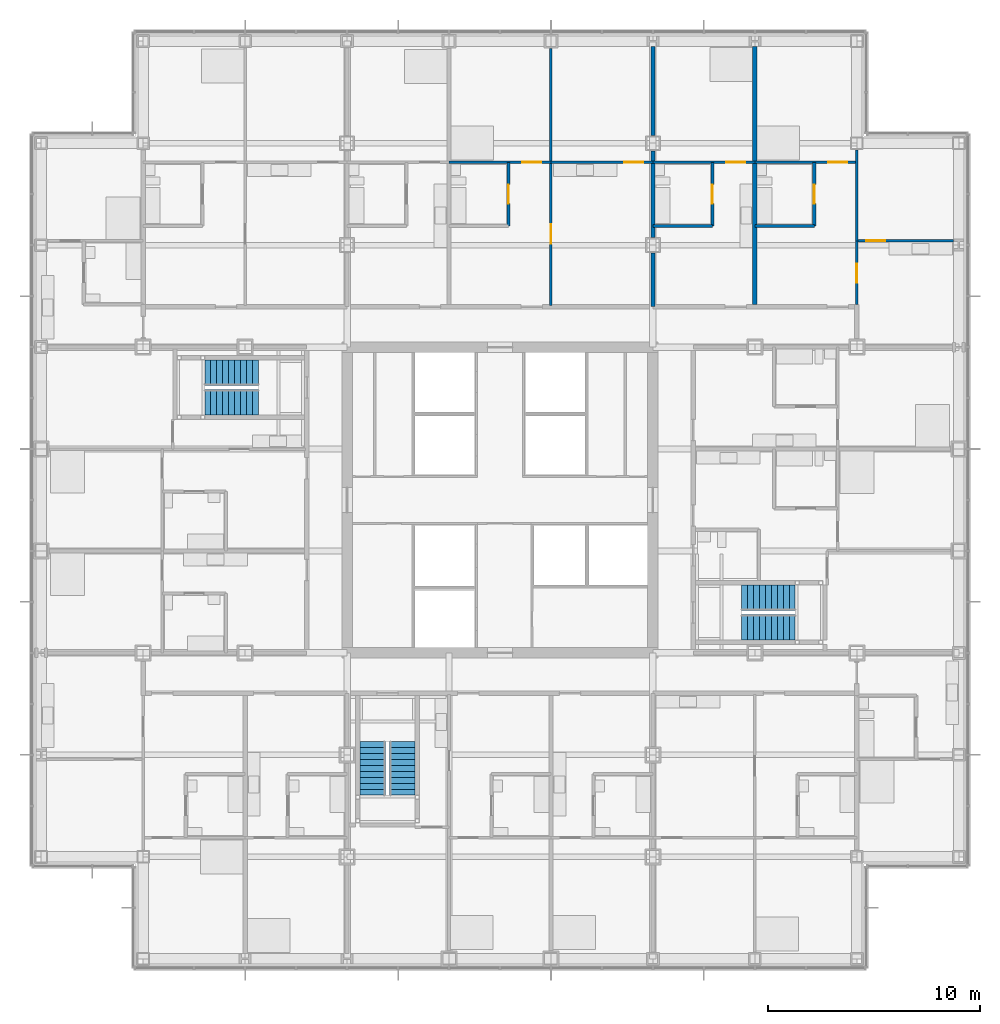
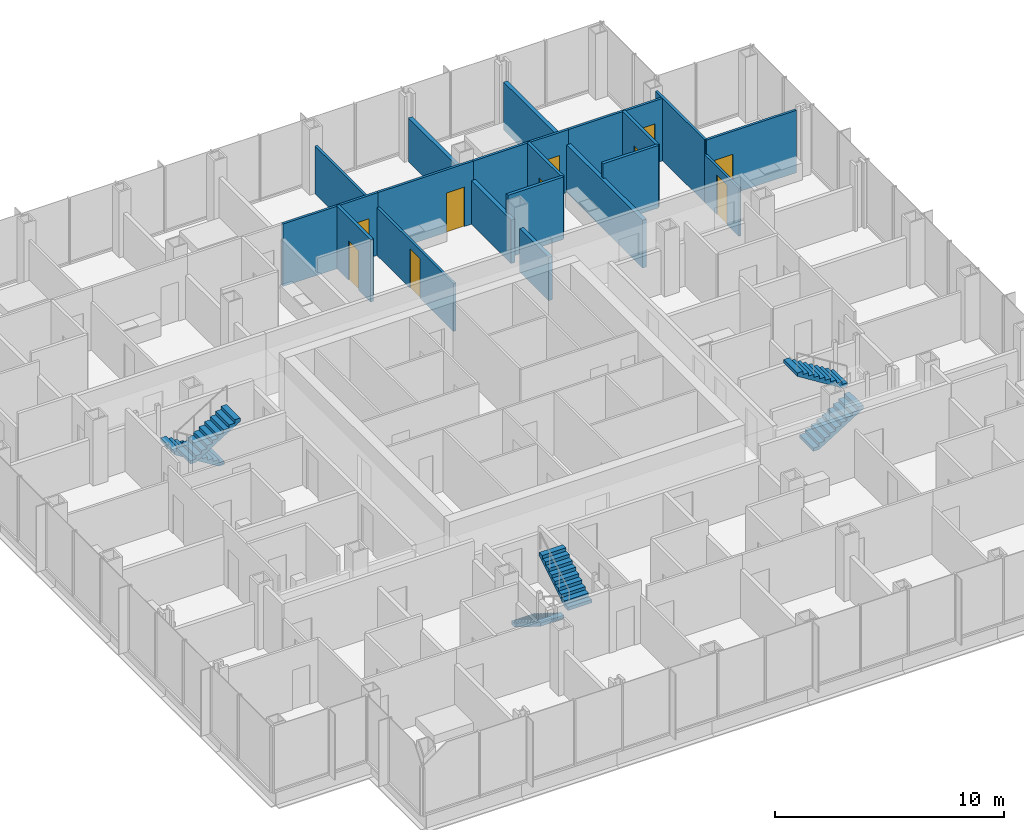
# One storey, part 18 of 21: 18 walls, 10 doors, 6 stair flights, 10 openings, 3 elements without a shape of their own.
"""IFC4 building model written with IfcOpenShell, lengths in metres."""

from ifc_helpers import new_model, si_unit, direction, frame, frame_2d, origin, place, context, subcontext, project, spatial, polyline, rectangle, outline, extrude, material, layer, layer_set, type_object, element, fill, aggregate, save


model = new_model("IFC4")

# Units and contexts
model_context = context("Model", 3, precision=1e-05, world=origin(), true_north=direction((0.0, 1.0)))
body_context = subcontext(model_context, "Body", "Model", "MODEL_VIEW")
ifc_project = project(units=[si_unit("LENGTHUNIT", "METRE"), si_unit("AREAUNIT", "SQUARE_METRE"), si_unit("VOLUMEUNIT", "CUBIC_METRE"), si_unit("PLANEANGLEUNIT", "RADIAN"), si_unit("MASSUNIT", "GRAM", prefix="KILO")], contexts=[model_context])

# Site, building, storey
site_placement = place(None, origin())
site = spatial("IfcSite", under=ifc_project, at=site_placement, CompositionType="ELEMENT")
building_placement = place(site_placement, origin())
building = spatial("IfcBuilding", under=site, at=building_placement, Name="Kvirike Care Tower", CompositionType="ELEMENT")
storey_placement = place(building_placement, frame((0.0, 0.0, 34.0)))
storey = spatial("IfcBuildingStorey", under=building, at=storey_placement, Name="L08", CompositionType="ELEMENT", Elevation=34.0)

# Wall, opening, door
ifc_material_1 = material(Name="Moisture-resistant board partition", Category="gypsum")
ifc_layer_1 = layer(ifc_material_1, 0.14990234375)
ifc_layer_set_1 = layer_set([ifc_layer_1], Name="BATHROOM WALL 150")
wall_type_1 = type_object("IfcWallType", Name="BATHROOM WALL 150", PredefinedType="PARTITIONING", material=ifc_layer_set_1)
wall_1_placement = place(storey_placement, frame((22.0, 51.89990234375, 0.0), z_axis=(0.0, 0.0, 1.0), x_axis=(0.0, -1.0, 0.0)))
wall_1 = element("IfcWall", 1, at=wall_1_placement, inside=storey, type_object=wall_type_1, Name="Bathroom Wall 150 L08", PredefinedType="PARTITIONING", context=body_context, shape_type="SweptSolid", body=[
    extrude(rectangle(XDim=3.0, YDim=0.14990234375, at=frame_2d((1.5, 0.0))), origin(), (0.0, 0.0, 1.0), 3.330078125),
])
opening_1_placement = place(wall_1_placement, frame((1.050048828125, 0.0, 0.0)))
opening_1 = element("IfcOpeningElement", 2, at=opening_1_placement, cuts=wall_1, Name="Opening 08-035", PredefinedType="OPENING", context=body_context, shape_type="SweptSolid", body=[
    extrude(rectangle(XDim=0.89990234375, YDim=2.10009765625, at=frame_2d((0.449951171875, 1.050048828125))), frame((0.0, 0.08544921875, 0.0), z_axis=(0.0, -1.0, 0.0), x_axis=(1.0, 0.0, 0.0)), (0.0, 0.0, 1.0), 0.1708984375),
])
ifc_material_2 = material(Name="Timber door set", Category="wood")
door_type_1 = type_object("IfcDoorType", Name="BATHROOM DOOR 900", OperationType="SINGLE_SWING_RIGHT", PredefinedType="DOOR", material=ifc_material_2)
door_1_placement = place(opening_1_placement, frame((0.89990234375, 0.0, 0.0), z_axis=(0.0, 0.0, 1.0), x_axis=(-1.0, 0.0, 0.0)))
door_1 = element("IfcDoor", 3, at=door_1_placement, inside=storey, type_object=door_type_1, Name="Bathroom door", OperationType="SINGLE_SWING_LEFT", OverallHeight=2.10009765625, OverallWidth=0.89990234375, PredefinedType="DOOR", context=body_context, shape_type="SweptSolid", body=[
    extrude(rectangle(XDim=0.89990234375, YDim=2.10009765625, at=frame_2d((0.449951171875, 1.050048828125))), frame((0.0, 0.02197265625, 0.0), z_axis=(0.0, -1.0, 0.0), x_axis=(1.0, 0.0, 0.0)), (0.0, 0.0, 1.0), 0.0439453125),
])
fill(opening_1, door_1)

wall_2_placement = place(storey_placement, frame((36.39990234375, 51.89990234375, 0.0), z_axis=(0.0, 0.0, 1.0), x_axis=(0.0, -1.0, 0.0)))
wall_2 = element("IfcWall", 4, at=wall_2_placement, inside=storey, type_object=wall_type_1, Name="Bathroom Wall 150 L08", PredefinedType="PARTITIONING", context=body_context, shape_type="SweptSolid", body=[
    extrude(rectangle(XDim=3.0, YDim=0.14990234375, at=frame_2d((1.5, 0.0))), origin(), (0.0, 0.0, 1.0), 3.330078125),
])
opening_2_placement = place(wall_2_placement, frame((1.050048828125, 0.0, 0.0)))
opening_2 = element("IfcOpeningElement", 5, at=opening_2_placement, cuts=wall_2, Name="Opening 08-060", PredefinedType="OPENING", context=body_context, shape_type="SweptSolid", body=[
    extrude(rectangle(XDim=0.89990234375, YDim=2.10009765625, at=frame_2d((0.449951171875, 1.050048828125))), frame((0.0, 0.08544921875, 0.0), z_axis=(0.0, -1.0, 0.0), x_axis=(1.0, 0.0, 0.0)), (0.0, 0.0, 1.0), 0.1708984375),
])
door_2_placement = place(opening_2_placement, frame((0.89990234375, 0.0, 0.0), z_axis=(0.0, 0.0, 1.0), x_axis=(-1.0, 0.0, 0.0)))
door_2 = element("IfcDoor", 6, at=door_2_placement, inside=storey, type_object=door_type_1, Name="Bathroom door", OperationType="SINGLE_SWING_LEFT", OverallHeight=2.10009765625, OverallWidth=0.89990234375, PredefinedType="DOOR", context=body_context, shape_type="SweptSolid", body=[
    extrude(rectangle(XDim=0.89990234375, YDim=2.10009765625, at=frame_2d((0.449951171875, 1.050048828125))), frame((0.0, 0.02197265625, 0.0), z_axis=(0.0, -1.0, 0.0), x_axis=(1.0, 0.0, 0.0)), (0.0, 0.0, 1.0), 0.0439453125),
])
fill(opening_2, door_2)

# Wall
wall_3_placement = place(storey_placement, frame((36.39990234375, 48.89990234375, 0.0), z_axis=(0.0, 0.0, 1.0), x_axis=(-1.0, 0.0, 0.0)))
element("IfcWall", 7, at=wall_3_placement, inside=storey, type_object=wall_type_1, Name="Bathroom Wall 150 L08", PredefinedType="PARTITIONING", context=body_context, shape_type="SweptSolid", body=[
    extrude(rectangle(XDim=2.7998046875, YDim=0.14990234375, at=frame_2d((1.39990234375, 0.0))), origin(), (0.0, 0.0, 1.0), 3.330078125),
])

# Wall, opening, door
wall_4_placement = place(storey_placement, frame((31.60009765625, 51.89990234375, 0.0), z_axis=(0.0, 0.0, 1.0), x_axis=(0.0, -1.0, 0.0)))
wall_4 = element("IfcWall", 8, at=wall_4_placement, inside=storey, type_object=wall_type_1, Name="Bathroom Wall 150 L08", PredefinedType="PARTITIONING", context=body_context, shape_type="SweptSolid", body=[
    extrude(rectangle(XDim=3.0, YDim=0.14990234375, at=frame_2d((1.5, 0.0))), origin(), (0.0, 0.0, 1.0), 3.330078125),
])
opening_3_placement = place(wall_4_placement, frame((1.050048828125, 0.0, 0.0)))
opening_3 = element("IfcOpeningElement", 9, at=opening_3_placement, cuts=wall_4, Name="Opening 08-064", PredefinedType="OPENING", context=body_context, shape_type="SweptSolid", body=[
    extrude(rectangle(XDim=0.89990234375, YDim=2.10009765625, at=frame_2d((0.449951171875, 1.050048828125))), frame((0.0, 0.08544921875, 0.0), z_axis=(0.0, -1.0, 0.0), x_axis=(1.0, 0.0, 0.0)), (0.0, 0.0, 1.0), 0.1708984375),
])
door_3_placement = place(opening_3_placement, frame((0.89990234375, 0.0, 0.0), z_axis=(0.0, 0.0, 1.0), x_axis=(-1.0, 0.0, 0.0)))
door_3 = element("IfcDoor", 10, at=door_3_placement, inside=storey, type_object=door_type_1, Name="Bathroom door", OperationType="SINGLE_SWING_LEFT", OverallHeight=2.10009765625, OverallWidth=0.89990234375, PredefinedType="DOOR", context=body_context, shape_type="SweptSolid", body=[
    extrude(rectangle(XDim=0.89990234375, YDim=2.10009765625, at=frame_2d((0.449951171875, 1.050048828125))), frame((0.0, 0.02197265625, 0.0), z_axis=(0.0, -1.0, 0.0), x_axis=(1.0, 0.0, 0.0)), (0.0, 0.0, 1.0), 0.0439453125),
])
fill(opening_3, door_3)

# Wall
wall_5_placement = place(storey_placement, frame((31.60009765625, 48.89990234375, 0.0), z_axis=(0.0, 0.0, 1.0), x_axis=(-1.0, 0.0, 0.0)))
element("IfcWall", 11, at=wall_5_placement, inside=storey, type_object=wall_type_1, Name="Bathroom Wall 150 L08", PredefinedType="PARTITIONING", context=body_context, shape_type="SweptSolid", body=[
    extrude(rectangle(XDim=2.800048828125, YDim=0.14990234375, at=frame_2d((1.39990234375, 0.0))), origin(), (0.0, 0.0, 1.0), 3.330078125),
])

# Wall, opening, door
ifc_material_3 = material(Name="Plasterboard partition", Category="gypsum")
ifc_layer_2 = layer(ifc_material_3, 0.1201171875)
ifc_layer_set_2 = layer_set([ifc_layer_2], Name="PARTITION 120")
wall_type_2 = type_object("IfcWallType", Name="PARTITION 120", PredefinedType="PARTITIONING", material=ifc_layer_set_2)
wall_6_placement = place(storey_placement, frame((24.0, 51.89990234375, 0.0), z_axis=(0.0, 0.0, 1.0), x_axis=(0.0, -1.0, 0.0)))
wall_6 = element("IfcWall", 12, at=wall_6_placement, inside=storey, type_object=wall_type_2, Name="Partition 120 L08", PredefinedType="PARTITIONING", context=body_context, shape_type="SweptSolid", body=[
    extrude(rectangle(XDim=6.75, YDim=0.1201171875, at=frame_2d((3.375, 0.0))), origin(), (0.0, 0.0, 1.0), 2.550048828125),
])
opening_4_placement = place(wall_6_placement, frame((2.925048828125, 0.0, 0.0)))
opening_4 = element("IfcOpeningElement", 13, at=opening_4_placement, cuts=wall_6, Name="Opening 08-036", PredefinedType="OPENING", context=body_context, shape_type="SweptSolid", body=[
    extrude(rectangle(XDim=0.89990234375, YDim=2.10009765625, at=frame_2d((0.449951171875, 1.050048828125))), frame((0.0, 0.070556640625, 0.0), z_axis=(0.0, -1.0, 0.0), x_axis=(1.0, 0.0, 0.0)), (0.0, 0.0, 1.0), 0.14111328125),
])
ifc_material_4 = material(Name="Timber door set", Category="wood")
door_type_2 = type_object("IfcDoorType", Name="INTERNAL DOOR 900", OperationType="SINGLE_SWING_LEFT", PredefinedType="DOOR", material=ifc_material_4)
door_4_placement = place(opening_4_placement, frame((0.89990234375, 0.0, 0.0), z_axis=(0.0, 0.0, 1.0), x_axis=(-1.0, 0.0, 0.0)))
door_4 = element("IfcDoor", 14, at=door_4_placement, inside=storey, type_object=door_type_2, Name="Hall door", OperationType="SINGLE_SWING_RIGHT", OverallHeight=2.10009765625, OverallWidth=0.89990234375, PredefinedType="DOOR", context=body_context, shape_type="SweptSolid", body=[
    extrude(rectangle(XDim=0.89990234375, YDim=2.10009765625, at=frame_2d((0.449951171875, 1.050048828125))), frame((0.0, 0.02197265625, 0.0), z_axis=(0.0, -1.0, 0.0), x_axis=(1.0, 0.0, 0.0)), (0.0, 0.0, 1.0), 0.0439453125),
])
fill(opening_4, door_4)

wall_7_placement = place(storey_placement, frame((28.800048828125, 51.89990234375, 0.0), z_axis=(0.0, 0.0, 1.0), x_axis=(-1.0, 0.0, 0.0)))
wall_7 = element("IfcWall", 15, at=wall_7_placement, inside=storey, type_object=wall_type_2, Name="Partition 120 L08", PredefinedType="PARTITIONING", context=body_context, shape_type="SweptSolid", body=[
    extrude(rectangle(XDim=4.800048828125, YDim=0.1201171875, at=frame_2d((2.39990234375, 0.0))), origin(), (0.0, 0.0, 1.0), 3.330078125),
])
opening_5_placement = place(wall_7_placement, frame((0.449951171875, 0.0, 0.0)))
opening_5 = element("IfcOpeningElement", 16, at=opening_5_placement, cuts=wall_7, Name="Opening 08-037", PredefinedType="OPENING", context=body_context, shape_type="SweptSolid", body=[
    extrude(rectangle(XDim=0.89990234375, YDim=2.10009765625, at=frame_2d((0.449951171875, 1.050048828125))), frame((0.0, 0.070556640625, 0.0), z_axis=(0.0, -1.0, 0.0), x_axis=(1.0, 0.0, 0.0)), (0.0, 0.0, 1.0), 0.14111328125),
])
door_5_placement = place(opening_5_placement, frame((0.89990234375, 0.0, 0.0), z_axis=(0.0, 0.0, 1.0), x_axis=(-1.0, 0.0, 0.0)))
door_5 = element("IfcDoor", 17, at=door_5_placement, inside=storey, type_object=door_type_2, Name="Apartment living room door", OperationType="SINGLE_SWING_LEFT", OverallHeight=2.10009765625, OverallWidth=0.89990234375, PredefinedType="DOOR", context=body_context, shape_type="SweptSolid", body=[
    extrude(rectangle(XDim=0.89990234375, YDim=2.10009765625, at=frame_2d((0.449951171875, 1.050048828125))), frame((0.0, 0.02197265625, 0.0), z_axis=(0.0, -1.0, 0.0), x_axis=(1.0, 0.0, 0.0)), (0.0, 0.0, 1.0), 0.0439453125),
])
fill(opening_5, door_5)

wall_8_placement = place(storey_placement, frame((24.0, 51.89990234375, 0.0), z_axis=(0.0, 0.0, 1.0), x_axis=(-1.0, 0.0, 0.0)))
wall_8 = element("IfcWall", 18, at=wall_8_placement, inside=storey, type_object=wall_type_2, Name="Partition 120 L08", PredefinedType="PARTITIONING", context=body_context, shape_type="SweptSolid", body=[
    extrude(rectangle(XDim=4.800048828125, YDim=0.1201171875, at=frame_2d((2.39990234375, 0.0))), origin(), (0.0, 0.0, 1.0), 3.330078125),
])
opening_6_placement = place(wall_8_placement, frame((0.449951171875, 0.0, 0.0)))
opening_6 = element("IfcOpeningElement", 19, at=opening_6_placement, cuts=wall_8, Name="Opening 08-038", PredefinedType="OPENING", context=body_context, shape_type="SweptSolid", body=[
    extrude(rectangle(XDim=0.89990234375, YDim=2.10009765625, at=frame_2d((0.449951171875, 1.050048828125))), frame((0.0, 0.070556640625, 0.0), z_axis=(0.0, -1.0, 0.0), x_axis=(1.0, 0.0, 0.0)), (0.0, 0.0, 1.0), 0.14111328125),
])
door_6_placement = place(opening_6_placement, origin())
door_6 = element("IfcDoor", 20, at=door_6_placement, inside=storey, type_object=door_type_2, Name="Apartment bedroom door", OperationType="SINGLE_SWING_RIGHT", OverallHeight=2.10009765625, OverallWidth=0.89990234375, PredefinedType="DOOR", context=body_context, shape_type="SweptSolid", body=[
    extrude(rectangle(XDim=0.89990234375, YDim=2.10009765625, at=frame_2d((0.449951171875, 1.050048828125))), frame((0.0, 0.02197265625, 0.0), z_axis=(0.0, -1.0, 0.0), x_axis=(1.0, 0.0, 0.0)), (0.0, 0.0, 1.0), 0.0439453125),
])
fill(opening_6, door_6)

# Wall
wall_9_placement = place(storey_placement, frame((24.0, 57.2548828125, 0.0), z_axis=(0.0, 0.0, 1.0), x_axis=(0.0, -1.0, 0.0)))
element("IfcWall", 21, at=wall_9_placement, inside=storey, type_object=wall_type_2, Name="Partition 120 L08", PredefinedType="PARTITIONING", context=body_context, shape_type="SweptSolid", body=[
    extrude(rectangle(XDim=5.35498046875, YDim=0.1201171875, at=frame_2d((2.677490234375, 0.0))), origin(), (0.0, 0.0, 1.0), 2.550048828125),
])

# Wall, opening, door
wall_10_placement = place(storey_placement, frame((38.39990234375, 48.199951171875, 0.0), z_axis=(0.0, 0.0, 1.0), x_axis=(0.0, -1.0, 0.0)))
wall_10 = element("IfcWall", 22, at=wall_10_placement, inside=storey, type_object=wall_type_2, Name="Partition 120 L08", PredefinedType="PARTITIONING", context=body_context, shape_type="SweptSolid", body=[
    extrude(rectangle(XDim=3.0, YDim=0.1201171875, at=frame_2d((1.5, 0.0))), origin(), (0.0, 0.0, 1.0), 2.550048828125),
])
opening_7_placement = place(wall_10_placement, frame((1.074951171875, 0.0, 0.0)))
opening_7 = element("IfcOpeningElement", 23, at=opening_7_placement, cuts=wall_10, Name="Opening 08-061", PredefinedType="OPENING", context=body_context, shape_type="SweptSolid", body=[
    extrude(rectangle(XDim=0.89990234375, YDim=2.10009765625, at=frame_2d((0.449951171875, 1.050048828125))), frame((0.0, 0.070556640625, 0.0), z_axis=(0.0, -1.0, 0.0), x_axis=(1.0, 0.0, 0.0)), (0.0, 0.0, 1.0), 0.14111328125),
])
door_7_placement = place(opening_7_placement, frame((0.89990234375, 0.0, 0.0), z_axis=(0.0, 0.0, 1.0), x_axis=(-1.0, 0.0, 0.0)))
door_7 = element("IfcDoor", 24, at=door_7_placement, inside=storey, type_object=door_type_2, Name="Hall door", OperationType="SINGLE_SWING_RIGHT", OverallHeight=2.10009765625, OverallWidth=0.89990234375, PredefinedType="DOOR", context=body_context, shape_type="SweptSolid", body=[
    extrude(rectangle(XDim=0.89990234375, YDim=2.10009765625, at=frame_2d((0.449951171875, 1.050048828125))), frame((0.0, 0.02197265625, 0.0), z_axis=(0.0, -1.0, 0.0), x_axis=(1.0, 0.0, 0.0)), (0.0, 0.0, 1.0), 0.0439453125),
])
fill(opening_7, door_7)

wall_11_placement = place(storey_placement, frame((42.952880859375, 48.199951171875, 0.0), z_axis=(0.0, 0.0, 1.0), x_axis=(-1.0, 0.0, 0.0)))
wall_11 = element("IfcWall", 25, at=wall_11_placement, inside=storey, type_object=wall_type_2, Name="Partition 120 L08", PredefinedType="PARTITIONING", context=body_context, shape_type="SweptSolid", body=[
    extrude(rectangle(XDim=4.552978515625, YDim=0.1201171875, at=frame_2d((2.2763671875, 0.0))), origin(), (0.0, 0.0, 1.0), 3.330078125),
])
opening_8_placement = place(wall_11_placement, frame((3.202880859375, 0.0, 0.0)))
opening_8 = element("IfcOpeningElement", 26, at=opening_8_placement, cuts=wall_11, Name="Opening 08-062", PredefinedType="OPENING", context=body_context, shape_type="SweptSolid", body=[
    extrude(rectangle(XDim=0.89990234375, YDim=2.10009765625, at=frame_2d((0.449951171875, 1.050048828125))), frame((0.0, 0.070556640625, 0.0), z_axis=(0.0, -1.0, 0.0), x_axis=(1.0, 0.0, 0.0)), (0.0, 0.0, 1.0), 0.14111328125),
])
door_8_placement = place(opening_8_placement, frame((0.89990234375, 0.0, 0.0), z_axis=(0.0, 0.0, 1.0), x_axis=(-1.0, 0.0, 0.0)))
door_8 = element("IfcDoor", 27, at=door_8_placement, inside=storey, type_object=door_type_2, Name="Apartment living room door", OperationType="SINGLE_SWING_RIGHT", OverallHeight=2.10009765625, OverallWidth=0.89990234375, PredefinedType="DOOR", context=body_context, shape_type="SweptSolid", body=[
    extrude(rectangle(XDim=0.89990234375, YDim=2.10009765625, at=frame_2d((0.449951171875, 1.050048828125))), frame((0.0, 0.02197265625, 0.0), z_axis=(0.0, -1.0, 0.0), x_axis=(1.0, 0.0, 0.0)), (0.0, 0.0, 1.0), 0.0439453125),
])
fill(opening_8, door_8)

wall_12_placement = place(storey_placement, frame((38.39990234375, 51.89990234375, 0.0), z_axis=(0.0, 0.0, 1.0), x_axis=(-1.0, 0.0, 0.0)))
wall_12 = element("IfcWall", 28, at=wall_12_placement, inside=storey, type_object=wall_type_2, Name="Partition 120 L08", PredefinedType="PARTITIONING", context=body_context, shape_type="SweptSolid", body=[
    extrude(rectangle(XDim=4.7998046875, YDim=0.1201171875, at=frame_2d((2.39990234375, 0.0))), origin(), (0.0, 0.0, 1.0), 3.330078125),
])
opening_9_placement = place(wall_12_placement, frame((0.449951171875, 0.0, 0.0)))
opening_9 = element("IfcOpeningElement", 29, at=opening_9_placement, cuts=wall_12, Name="Opening 08-063", PredefinedType="OPENING", context=body_context, shape_type="SweptSolid", body=[
    extrude(rectangle(XDim=0.89990234375, YDim=2.10009765625, at=frame_2d((0.449951171875, 1.050048828125))), frame((0.0, 0.070556640625, 0.0), z_axis=(0.0, -1.0, 0.0), x_axis=(1.0, 0.0, 0.0)), (0.0, 0.0, 1.0), 0.14111328125),
])
door_9_placement = place(opening_9_placement, origin())
door_9 = element("IfcDoor", 30, at=door_9_placement, inside=storey, type_object=door_type_2, Name="Apartment bedroom door", OperationType="SINGLE_SWING_RIGHT", OverallHeight=2.10009765625, OverallWidth=0.89990234375, PredefinedType="DOOR", context=body_context, shape_type="SweptSolid", body=[
    extrude(rectangle(XDim=0.89990234375, YDim=2.10009765625, at=frame_2d((0.449951171875, 1.050048828125))), frame((0.0, 0.02197265625, 0.0), z_axis=(0.0, -1.0, 0.0), x_axis=(1.0, 0.0, 0.0)), (0.0, 0.0, 1.0), 0.0439453125),
])
fill(opening_9, door_9)

# Wall
wall_13_placement = place(storey_placement, frame((38.39990234375, 52.47998046875, 0.0), z_axis=(0.0, 0.0, 1.0), x_axis=(0.0, -1.0, 0.0)))
element("IfcWall", 31, at=wall_13_placement, inside=storey, type_object=wall_type_2, Name="Partition 120 L08", PredefinedType="PARTITIONING", context=body_context, shape_type="SweptSolid", body=[
    extrude(rectangle(XDim=4.280029296875, YDim=0.1201171875, at=frame_2d((2.14013671875, 0.0))), origin(), (0.0, 0.0, 1.0), 3.330078125),
])

# Wall, opening, door
wall_14_placement = place(storey_placement, frame((33.60009765625, 51.89990234375, 0.0), z_axis=(0.0, 0.0, 1.0), x_axis=(-1.0, 0.0, 0.0)))
wall_14 = element("IfcWall", 32, at=wall_14_placement, inside=storey, type_object=wall_type_2, Name="Partition 120 L08", PredefinedType="PARTITIONING", context=body_context, shape_type="SweptSolid", body=[
    extrude(rectangle(XDim=4.800048828125, YDim=0.1201171875, at=frame_2d((2.39990234375, 0.0))), origin(), (0.0, 0.0, 1.0), 3.330078125),
])
opening_10_placement = place(wall_14_placement, frame((0.449951171875, 0.0, 0.0)))
opening_10 = element("IfcOpeningElement", 33, at=opening_10_placement, cuts=wall_14, Name="Opening 08-065", PredefinedType="OPENING", context=body_context, shape_type="SweptSolid", body=[
    extrude(rectangle(XDim=0.89990234375, YDim=2.10009765625, at=frame_2d((0.449951171875, 1.050048828125))), frame((0.0, 0.070556640625, 0.0), z_axis=(0.0, -1.0, 0.0), x_axis=(1.0, 0.0, 0.0)), (0.0, 0.0, 1.0), 0.14111328125),
])
door_10_placement = place(opening_10_placement, origin())
door_10 = element("IfcDoor", 34, at=door_10_placement, inside=storey, type_object=door_type_2, Name="Studio apartment living room door", OperationType="SINGLE_SWING_RIGHT", OverallHeight=2.10009765625, OverallWidth=0.89990234375, PredefinedType="DOOR", context=body_context, shape_type="SweptSolid", body=[
    extrude(rectangle(XDim=0.89990234375, YDim=2.10009765625, at=frame_2d((0.449951171875, 1.050048828125))), frame((0.0, 0.02197265625, 0.0), z_axis=(0.0, -1.0, 0.0), x_axis=(1.0, 0.0, 0.0)), (0.0, 0.0, 1.0), 0.0439453125),
])
fill(opening_10, door_10)

# Walls
ifc_material_5 = material(Name="Plasterboard party wall", Category="gypsum")
ifc_layer_3 = layer(ifc_material_5, 0.199951171875)
ifc_layer_set_3 = layer_set([ifc_layer_3], Name="PARTY WALL 200")
wall_type_3 = type_object("IfcWallType", Name="PARTY WALL 200", PredefinedType="PARTITIONING", material=ifc_layer_set_3)
wall_15_placement = place(storey_placement, frame((33.60009765625, 57.35302734375, 0.0), z_axis=(0.0, 0.0, 1.0), x_axis=(0.0, -1.0, 0.0)))
element("IfcWall", 35, at=wall_15_placement, inside=storey, type_object=wall_type_3, Name="Party Wall 200 L08", PredefinedType="PARTITIONING", context=body_context, shape_type="SweptSolid", body=[
    extrude(rectangle(XDim=12.153076171875, YDim=0.199951171875, at=frame_2d((6.07666015625, 0.0))), origin(), (0.0, 0.0, 1.0), 2.550048828125),
])
wall_16_placement = place(storey_placement, frame((28.800048828125, 45.10009765625, 0.0), z_axis=(0.0, 0.0, 1.0), x_axis=(0.0, 1.0, 0.0)))
element("IfcWall", 36, at=wall_16_placement, inside=storey, type_object=wall_type_3, Name="Party Wall 200 L08", PredefinedType="PARTITIONING", context=body_context, shape_type="SweptSolid", body=[
    extrude(rectangle(XDim=2.52978515625, YDim=0.199951171875, at=frame_2d((1.264892578125, 0.0))), origin(), (0.0, 0.0, 1.0), 2.320068359375),
])
wall_17_placement = place(storey_placement, frame((28.800048828125, 48.3701171875, 0.0), z_axis=(0.0, 0.0, 1.0), x_axis=(0.0, 1.0, 0.0)))
element("IfcWall", 37, at=wall_17_placement, inside=storey, type_object=wall_type_3, Name="Party Wall 200 L08", PredefinedType="PARTITIONING", context=body_context, shape_type="SweptSolid", body=[
    extrude(rectangle(XDim=4.059814453125, YDim=0.199951171875, at=frame_2d((2.02978515625, 0.0))), origin(), (0.0, 0.0, 1.0), 2.320068359375),
])
wall_18_placement = place(storey_placement, frame((28.800048828125, 53.169921875, 0.0), z_axis=(0.0, 0.0, 1.0), x_axis=(0.0, 1.0, 0.0)))
element("IfcWall", 38, at=wall_18_placement, inside=storey, type_object=wall_type_3, Name="Party Wall 200 L08", PredefinedType="PARTITIONING", context=body_context, shape_type="SweptSolid", body=[
    extrude(rectangle(XDim=4.18310546875, YDim=0.199951171875, at=frame_2d((2.091552734375, 0.0))), origin(), (0.0, 0.0, 1.0), 2.320068359375),
])

# Stair, stair flights
ifc_material_6 = material(Name="Concrete C35/45", Category="concrete")
stair_type = type_object("IfcStairType", Name="STAIR 20 RISERS", PredefinedType="HALF_TURN_STAIR", material=ifc_material_6)
stair_1_placement = place(storey_placement, origin())
stair_1 = element("IfcStair", 39, at=stair_1_placement, inside=storey, type_object=stair_type, Name="Stair 1 L08", PredefinedType="HALF_TURN_STAIR")
ifc_material_7 = material(Name="Concrete C35/45", Category="concrete")
stair_flight_type = type_object("IfcStairFlightType", Name="FLIGHT 10 RISERS", PredefinedType="STRAIGHT", material=ifc_material_7)
stair_flight_1_placement = place(storey_placement, frame((10.219970703125, 42.0, 0.0), z_axis=(0.0, 0.0, 1.0), x_axis=(-1.0, 0.0, 0.0)))
stair_flight_1 = element("IfcStairFlight", 40, at=stair_flight_1_placement, type_object=stair_flight_type, Name="Stair S1 flight 1 L08-L09", NumberOfRisers=10, NumberOfTreads=9, PredefinedType="STRAIGHT", RiserHeight=0.175, TreadLength=0.28, context=body_context, shape_type="SweptSolid", body=[
    extrude(outline(polyline([(0.0, 0.0), (0.0, 0.175048828125), (0.280029296875, 0.175048828125), (0.280029296875, 0.35009765625), (0.56005859375, 0.35009765625), (0.56005859375, 0.52490234375), (0.840087890625, 0.52490234375), (0.840087890625, 0.699951171875), (1.1201171875, 0.699951171875), (1.1201171875, 0.875), (1.39990234375, 0.875), (1.39990234375, 1.050048828125), (1.679931640625, 1.050048828125), (1.679931640625, 1.22509765625), (1.9599609375, 1.22509765625), (1.9599609375, 1.39990234375), (2.239990234375, 1.39990234375), (2.239990234375, 1.574951171875), (2.52001953125, 1.574951171875), (2.52001953125, 1.75), (2.52001953125, 1.398193359375), (0.28271484375, 0.0), (0.0, 0.0)])), frame((0.0, 0.60009765625, 0.0), z_axis=(0.0, -1.0, 0.0), x_axis=(1.0, 0.0, 0.0)), (0.0, 0.0, 1.0), 1.199951171875),
])
stair_flight_2_placement = place(storey_placement, frame((7.699951171875, 40.60009765625, 1.75), z_axis=(0.0, 0.0, 1.0), x_axis=(1.0, 0.0, 0.0)))
stair_flight_2 = element("IfcStairFlight", 41, at=stair_flight_2_placement, type_object=stair_flight_type, Name="Stair S1 flight 2 L08-L09", NumberOfRisers=10, NumberOfTreads=9, PredefinedType="STRAIGHT", RiserHeight=0.175, TreadLength=0.28, context=body_context, shape_type="SweptSolid", body=[
    extrude(outline(polyline([(0.0, 0.0), (0.0, 0.175048828125), (0.280029296875, 0.175048828125), (0.280029296875, 0.35009765625), (0.56005859375, 0.35009765625), (0.56005859375, 0.52490234375), (0.840087890625, 0.52490234375), (0.840087890625, 0.699951171875), (1.1201171875, 0.699951171875), (1.1201171875, 0.875), (1.39990234375, 0.875), (1.39990234375, 1.050048828125), (1.679931640625, 1.050048828125), (1.679931640625, 1.22509765625), (1.9599609375, 1.22509765625), (1.9599609375, 1.39990234375), (2.239990234375, 1.39990234375), (2.239990234375, 1.574951171875), (2.52001953125, 1.574951171875), (2.52001953125, 1.75), (2.52001953125, 1.398193359375), (0.28271484375, 0.0), (0.0, 0.0)])), frame((0.0, 0.60009765625, 0.0), z_axis=(0.0, -1.0, 0.0), x_axis=(1.0, 0.0, 0.0)), (0.0, 0.0, 1.0), 1.199951171875),
])
aggregate(stair_1, [stair_flight_1, stair_flight_2])

stair_2_placement = place(storey_placement, origin())
stair_2 = element("IfcStair", 42, at=stair_2_placement, inside=storey, type_object=stair_type, Name="Stair 2 L08", PredefinedType="HALF_TURN_STAIR")
stair_flight_3_placement = place(storey_placement, frame((32.97998046875, 30.0, 0.0), z_axis=(0.0, 0.0, 1.0), x_axis=(1.0, 0.0, 0.0)))
stair_flight_3 = element("IfcStairFlight", 43, at=stair_flight_3_placement, type_object=stair_flight_type, Name="Stair S2 flight 1 L08-L09", NumberOfRisers=10, NumberOfTreads=9, PredefinedType="STRAIGHT", RiserHeight=0.175, TreadLength=0.28, context=body_context, shape_type="SweptSolid", body=[
    extrude(outline(polyline([(0.0, 0.0), (0.0, 0.175048828125), (0.280029296875, 0.175048828125), (0.280029296875, 0.35009765625), (0.56005859375, 0.35009765625), (0.56005859375, 0.52490234375), (0.840087890625, 0.52490234375), (0.840087890625, 0.699951171875), (1.1201171875, 0.699951171875), (1.1201171875, 0.875), (1.39990234375, 0.875), (1.39990234375, 1.050048828125), (1.679931640625, 1.050048828125), (1.679931640625, 1.22509765625), (1.9599609375, 1.22509765625), (1.9599609375, 1.39990234375), (2.239990234375, 1.39990234375), (2.239990234375, 1.574951171875), (2.52001953125, 1.574951171875), (2.52001953125, 1.75), (2.52001953125, 1.398193359375), (0.28271484375, 0.0), (0.0, 0.0)])), frame((0.0, 0.60009765625, 0.0), z_axis=(0.0, -1.0, 0.0), x_axis=(1.0, 0.0, 0.0)), (0.0, 0.0, 1.0), 1.199951171875),
])
stair_flight_4_placement = place(storey_placement, frame((35.5, 31.39990234375, 1.75), z_axis=(0.0, 0.0, 1.0), x_axis=(-1.0, 0.0, 0.0)))
stair_flight_4 = element("IfcStairFlight", 44, at=stair_flight_4_placement, type_object=stair_flight_type, Name="Stair S2 flight 2 L08-L09", NumberOfRisers=10, NumberOfTreads=9, PredefinedType="STRAIGHT", RiserHeight=0.175, TreadLength=0.28, context=body_context, shape_type="SweptSolid", body=[
    extrude(outline(polyline([(0.0, 0.0), (0.0, 0.175048828125), (0.280029296875, 0.175048828125), (0.280029296875, 0.35009765625), (0.56005859375, 0.35009765625), (0.56005859375, 0.52490234375), (0.840087890625, 0.52490234375), (0.840087890625, 0.699951171875), (1.1201171875, 0.699951171875), (1.1201171875, 0.875), (1.39990234375, 0.875), (1.39990234375, 1.050048828125), (1.679931640625, 1.050048828125), (1.679931640625, 1.22509765625), (1.9599609375, 1.22509765625), (1.9599609375, 1.39990234375), (2.239990234375, 1.39990234375), (2.239990234375, 1.574951171875), (2.52001953125, 1.574951171875), (2.52001953125, 1.75), (2.52001953125, 1.398193359375), (0.28271484375, 0.0), (0.0, 0.0)])), frame((0.0, 0.60009765625, 0.0), z_axis=(0.0, -1.0, 0.0), x_axis=(1.0, 0.0, 0.0)), (0.0, 0.0, 1.0), 1.199951171875),
])
aggregate(stair_2, [stair_flight_3, stair_flight_4])

stair_3_placement = place(storey_placement, origin())
stair_3 = element("IfcStair", 45, at=stair_3_placement, inside=storey, type_object=stair_type, Name="Stair 5 L08", PredefinedType="HALF_TURN_STAIR")
stair_flight_5_placement = place(storey_placement, frame((15.60009765625, 24.6201171875, 0.0), z_axis=(0.0, 0.0, 1.0), x_axis=(0.0, -1.0, 0.0)))
stair_flight_5 = element("IfcStairFlight", 46, at=stair_flight_5_placement, type_object=stair_flight_type, Name="Stair S5 flight 1 L08-L09", NumberOfRisers=10, NumberOfTreads=9, PredefinedType="STRAIGHT", RiserHeight=0.175, TreadLength=0.28, context=body_context, shape_type="SweptSolid", body=[
    extrude(outline(polyline([(0.0, 0.0), (0.0, 0.175048828125), (0.280029296875, 0.175048828125), (0.280029296875, 0.35009765625), (0.56005859375, 0.35009765625), (0.56005859375, 0.52490234375), (0.840087890625, 0.52490234375), (0.840087890625, 0.699951171875), (1.1201171875, 0.699951171875), (1.1201171875, 0.875), (1.39990234375, 0.875), (1.39990234375, 1.050048828125), (1.679931640625, 1.050048828125), (1.679931640625, 1.22509765625), (1.9599609375, 1.22509765625), (1.9599609375, 1.39990234375), (2.239990234375, 1.39990234375), (2.239990234375, 1.574951171875), (2.52001953125, 1.574951171875), (2.52001953125, 1.75), (2.52001953125, 1.398193359375), (0.28271484375, 0.0), (0.0, 0.0)])), frame((0.0, 0.60009765625, 0.0), z_axis=(0.0, -1.0, 0.0), x_axis=(1.0, 0.0, 0.0)), (0.0, 0.0, 1.0), 1.199951171875),
])
stair_flight_6_placement = place(storey_placement, frame((17.0, 22.10009765625, 1.75), z_axis=(0.0, 0.0, 1.0), x_axis=(0.0, 1.0, 0.0)))
stair_flight_6 = element("IfcStairFlight", 47, at=stair_flight_6_placement, type_object=stair_flight_type, Name="Stair S5 flight 2 L08-L09", NumberOfRisers=10, NumberOfTreads=9, PredefinedType="STRAIGHT", RiserHeight=0.175, TreadLength=0.28, context=body_context, shape_type="SweptSolid", body=[
    extrude(outline(polyline([(0.0, 0.0), (0.0, 0.175048828125), (0.280029296875, 0.175048828125), (0.280029296875, 0.35009765625), (0.56005859375, 0.35009765625), (0.56005859375, 0.52490234375), (0.840087890625, 0.52490234375), (0.840087890625, 0.699951171875), (1.1201171875, 0.699951171875), (1.1201171875, 0.875), (1.39990234375, 0.875), (1.39990234375, 1.050048828125), (1.679931640625, 1.050048828125), (1.679931640625, 1.22509765625), (1.9599609375, 1.22509765625), (1.9599609375, 1.39990234375), (2.239990234375, 1.39990234375), (2.239990234375, 1.574951171875), (2.52001953125, 1.574951171875), (2.52001953125, 1.75), (2.52001953125, 1.398193359375), (0.28271484375, 0.0), (0.0, 0.0)])), frame((0.0, 0.60009765625, 0.0), z_axis=(0.0, -1.0, 0.0), x_axis=(1.0, 0.0, 0.0)), (0.0, 0.0, 1.0), 1.199951171875),
])
aggregate(stair_3, [stair_flight_5, stair_flight_6])

save(model, "model.ifc")
